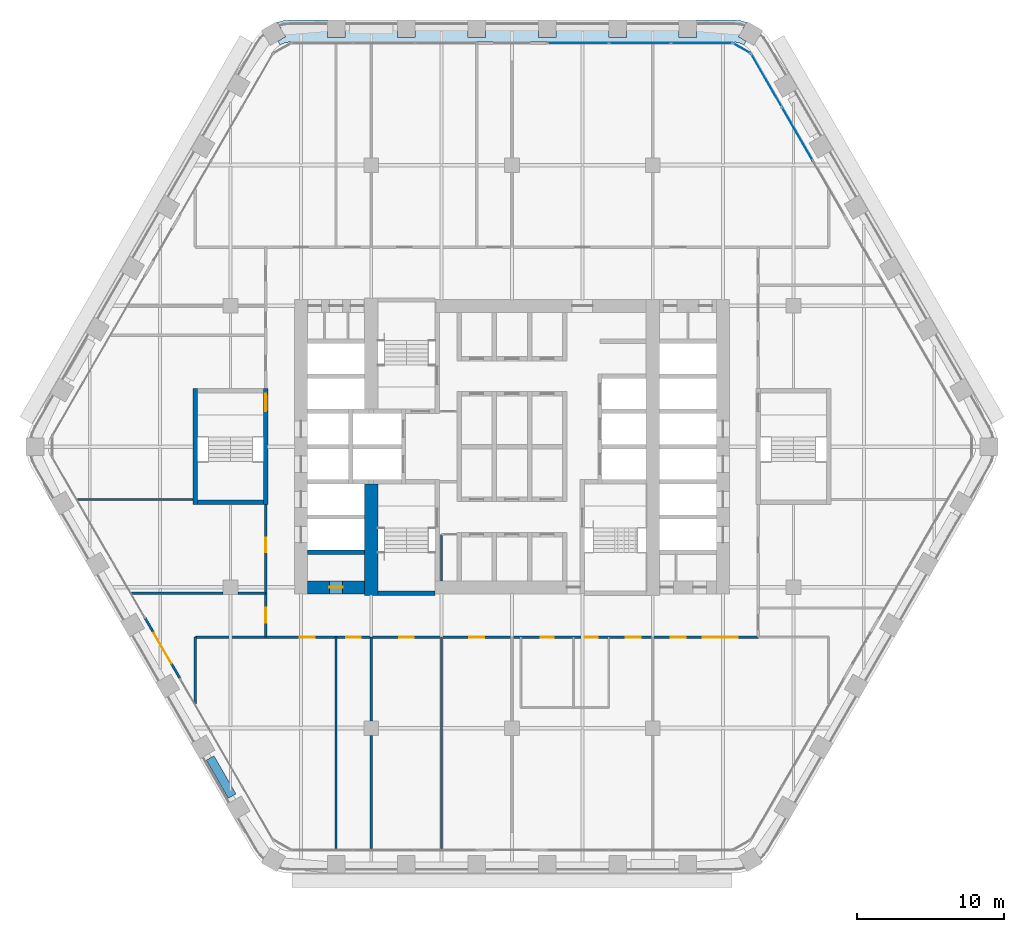
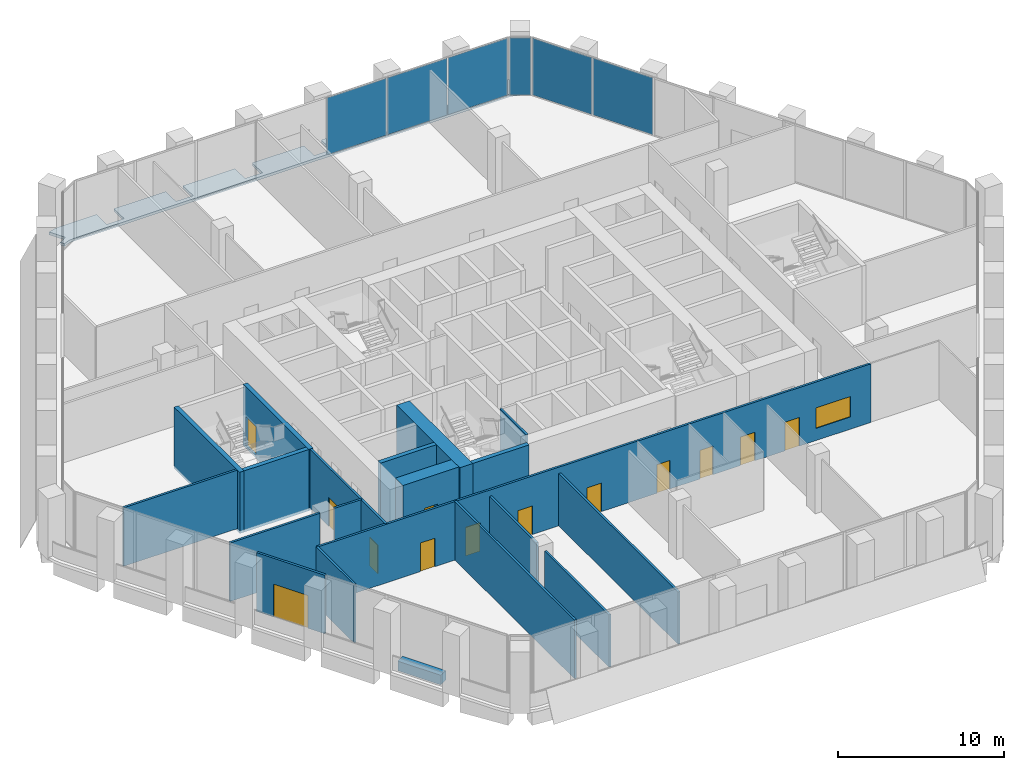
# One storey, part 12 of 22: 20 walls, 13 doors, 6 plates, 1 slab, 1 window, 14 openings, 3 elements without a shape of their own.
"""IFC4 building model written with IfcOpenShell, lengths in metres."""

from ifc_helpers import new_model, si_unit, direction, frame, frame_2d, origin, origin_2d, place, context, subcontext, project, spatial, polyline, rectangle, outline, extrude, material, layer, layer_set, type_object, element, fill, aggregate, save


model = new_model("IFC4")

# Units and contexts
model_context = context("Model", 3, precision=1e-05, world=origin(), true_north=direction((0.0, 1.0)))
body_context = subcontext(model_context, "Body", "Model", "MODEL_VIEW")
ifc_project = project(units=[si_unit("LENGTHUNIT", "METRE"), si_unit("AREAUNIT", "SQUARE_METRE"), si_unit("VOLUMEUNIT", "CUBIC_METRE"), si_unit("PLANEANGLEUNIT", "RADIAN"), si_unit("MASSUNIT", "GRAM", prefix="KILO")], contexts=[model_context])

# Site, building, storey
site_placement = place(None, origin())
site = spatial("IfcSite", under=ifc_project, at=site_placement, CompositionType="ELEMENT")
building_placement = place(site_placement, origin())
building = spatial("IfcBuilding", under=site, at=building_placement, Name="Kolab Exchange Tower", CompositionType="ELEMENT")
storey_placement = place(building_placement, frame((0.0, 0.0, 82.39990234375)))
storey = spatial("IfcBuildingStorey", under=building, at=storey_placement, Name="L15", CompositionType="ELEMENT", Elevation=82.39990234375)

# Slab
ifc_material_1 = material(Name="Concrete C35/45", Category="concrete")
ifc_layer_1 = layer(ifc_material_1, 0.199951171875)
ifc_layer_set_1 = layer_set([ifc_layer_1], Name="Concrete C35/45")
slab_type = type_object("IfcSlabType", Name="LOGGIA SLAB 200", PredefinedType="FLOOR", material=ifc_layer_set_1)
slab_placement = place(storey_placement, frame((0.0, 0.0, -0.199951171875)))
element("IfcSlab", 1, at=slab_placement, inside=storey, type_object=slab_type, Name="slab/L15/loggia/0-0", PredefinedType="FLOOR", context=body_context, shape_type="SweptSolid", body=[
    extrude(outline(polyline([(15.81787109375, 27.3974609375), (15.968017578125, 27.6572265625), (15.4482421875, 27.957275390625), (16.014892578125, 28.938720703125), (15.5888671875, 29.052978515625), (15.06787109375, 29.098388671875), (12.60009765625, 29.098388671875), (12.60009765625, 27.8984375), (11.39990234375, 27.8984375), (11.39990234375, 29.098388671875), (7.800048828125, 29.098388671875), (7.800048828125, 27.8984375), (6.60009765625, 27.8984375), (6.60009765625, 29.098388671875), (3.0, 29.098388671875), (3.0, 27.8984375), (1.800048828125, 27.8984375), (1.800048828125, 29.098388671875), (-1.800048828125, 29.098388671875), (-1.800048828125, 27.8984375), (-3.0, 27.8984375), (-3.0, 29.098388671875), (-6.60009765625, 29.098388671875), (-6.60009765625, 27.8984375), (-7.800048828125, 27.8984375), (-7.800048828125, 29.098388671875), (-11.39990234375, 29.098388671875), (-11.39990234375, 27.8984375), (-12.60009765625, 27.8984375), (-12.60009765625, 29.098388671875), (-15.06787109375, 29.098388671875), (-15.5888671875, 29.052978515625), (-16.014892578125, 28.938720703125), (-15.4482421875, 27.957275390625), (-15.968017578125, 27.6572265625), (-15.81787109375, 27.3974609375), (-15.5810546875, 27.508056640625), (-15.328369140625, 27.57568359375), (-15.06787109375, 27.598388671875), (15.06787109375, 27.598388671875), (15.328369140625, 27.57568359375), (15.5810546875, 27.508056640625), (15.81787109375, 27.3974609375)])), origin(), (0.0, 0.0, 1.0), 0.199951171875),
])

# Curtain wall, plates
ifc_material_2 = material(Name="Aluminium EN AW-6063 T6", Category="aluminium")
curtain_wall_type = type_object("IfcCurtainWallType", Name="UNITISED LOWER MID ZONE CURTAIN WALL", PredefinedType="NOTDEFINED", material=ifc_material_2)
curtain_wall_1_placement = place(storey_placement, origin())
curtain_wall_1 = element("IfcCurtainWall", 2, at=curtain_wall_1_placement, inside=storey, type_object=curtain_wall_type, Name="cw/L15/F1-2", PredefinedType="NOTDEFINED")
ifc_material_3 = material(Name="Clear insulated glazing unit", Category="glass")
ifc_layer_2 = layer(ifc_material_3, 0.02587890625)
ifc_layer_set_2 = layer_set([ifc_layer_2], Name="Clear insulated glazing unit")
plate_type = type_object("IfcPlateType", Name="UNITISED LOWER MID ZONE GLASS PANEL 26", PredefinedType="CURTAIN_PANEL", material=ifc_layer_set_2)
plate_1_placement = place(storey_placement, frame((4.5263671875, 27.5185546875, 0.06005859375), z_axis=(0.0, 0.0, 1.0), x_axis=(1.0, 0.0, 0.0)))
plate_1 = element("IfcPlate", 3, at=plate_1_placement, type_object=plate_type, Name="CW2 panel 1.1", PredefinedType="CURTAIN_PANEL", context=body_context, shape_type="SweptSolid", body=[
    extrude(rectangle(XDim=4.132568359375, YDim=0.02587890625, at=origin_2d()), origin(), (0.0, 0.0, 1.0), 4.179931640625),
])
plate_2_placement = place(storey_placement, frame((8.73388671875, 27.5185546875, 0.06005859375), z_axis=(0.0, 0.0, 1.0), x_axis=(1.0, 0.0, 0.0)))
plate_2 = element("IfcPlate", 4, at=plate_2_placement, type_object=plate_type, Name="CW2 panel 2.1", PredefinedType="CURTAIN_PANEL", context=body_context, shape_type="SweptSolid", body=[
    extrude(rectangle(XDim=4.16259765625, YDim=0.02587890625, at=origin_2d()), origin(), (0.0, 0.0, 1.0), 4.179931640625),
])
plate_3_placement = place(storey_placement, frame((12.941650390625, 27.5185546875, 0.06005859375), z_axis=(0.0, 0.0, 1.0), x_axis=(1.0, 0.0, 0.0)))
plate_3 = element("IfcPlate", 5, at=plate_3_placement, type_object=plate_type, Name="CW2 panel 3.1", PredefinedType="CURTAIN_PANEL", context=body_context, shape_type="SweptSolid", body=[
    extrude(rectangle(XDim=4.132568359375, YDim=0.02587890625, at=origin_2d()), origin(), (0.0, 0.0, 1.0), 4.179931640625),
])
aggregate(curtain_wall_1, [plate_1, plate_2, plate_3])

curtain_wall_2_placement = place(storey_placement, origin())
curtain_wall_2 = element("IfcCurtainWall", 6, at=curtain_wall_2_placement, inside=storey, type_object=curtain_wall_type, Name="cw/L15/F2-1", PredefinedType="NOTDEFINED")
plate_4_placement = place(storey_placement, frame((17.36083984375, 24.967041015625, 0.06005859375), z_axis=(0.0, 0.0, 1.0), x_axis=(0.500000017564, -0.866025393644, 0.0)))
plate_4 = element("IfcPlate", 7, at=plate_4_placement, type_object=plate_type, Name="CW2 panel 1.1", PredefinedType="CURTAIN_PANEL", context=body_context, shape_type="SweptSolid", body=[
    extrude(rectangle(XDim=4.132568359375, YDim=0.02587890625, at=origin_2d()), origin(), (0.0, 0.0, 1.0), 4.179931640625),
])
plate_5_placement = place(storey_placement, frame((19.464599609375, 21.322998046875, 0.06005859375), z_axis=(0.0, 0.0, 1.0), x_axis=(0.500000017564, -0.866025393644, 0.0)))
plate_5 = element("IfcPlate", 8, at=plate_5_placement, type_object=plate_type, Name="CW2 panel 2.1", PredefinedType="CURTAIN_PANEL", context=body_context, shape_type="SweptSolid", body=[
    extrude(rectangle(XDim=4.16259765625, YDim=0.02587890625, at=origin_2d()), origin(), (0.0, 0.0, 1.0), 4.179931640625),
])
aggregate(curtain_wall_2, [plate_4, plate_5])

# Curtain wall, plate
curtain_wall_3_placement = place(storey_placement, origin())
curtain_wall_3 = element("IfcCurtainWall", 9, at=curtain_wall_3_placement, inside=storey, type_object=curtain_wall_type, Name="cw/L15/F1F2-corner", PredefinedType="NOTDEFINED")
plate_6_placement = place(storey_placement, frame((15.682861328125, 27.16357421875, 0.06005859375), z_axis=(0.0, 0.0, 1.0), x_axis=(0.866025390869, -0.50000002237, 0.0)))
plate_6 = element("IfcPlate", 10, at=plate_6_placement, type_object=plate_type, Name="CW2 panel 1.1", PredefinedType="CURTAIN_PANEL", context=body_context, shape_type="SweptSolid", body=[
    extrude(rectangle(XDim=1.300048828125, YDim=0.02587890625, at=origin_2d()), origin(), (0.0, 0.0, 1.0), 4.179931640625),
])
aggregate(curtain_wall_3, [plate_6])

# Wall, opening, door
ifc_material_4 = material(Name="Concrete C70/85", Category="concrete")
ifc_layer_3 = layer(ifc_material_4, 0.89990234375)
ifc_layer_set_3 = layer_set([ifc_layer_3], Name="Concrete C70/85")
wall_type_1 = type_object("IfcWallType", Name="CORE WALL 900 C70/85", PredefinedType="SHEAR", material=ifc_layer_set_3)
wall_1_placement = place(storey_placement, frame((-13.949951171875, -9.60009765625, -0.199951171875), z_axis=(0.0, 0.0, 1.0), x_axis=(1.0, 0.0, 0.0)))
wall_1 = element("IfcWall", 11, at=wall_1_placement, inside=storey, type_object=wall_type_1, Name="wall/L15/core/002", PredefinedType="SHEAR", context=body_context, shape_type="SweptSolid", body=[
    extrude(rectangle(XDim=3.89990234375, YDim=0.89990234375, at=frame_2d((1.949951171875, 0.0))), origin(), (0.0, 0.0, 1.0), 4.5),
])
opening_1_placement = place(wall_1_placement, frame((1.5, 0.0, 0.199951171875)))
opening_1 = element("IfcOpeningElement", 12, at=opening_1_placement, cuts=wall_1, Name="Opening D6-221", PredefinedType="OPENING", context=body_context, shape_type="SweptSolid", body=[
    extrude(rectangle(XDim=0.89990234375, YDim=2.10009765625, at=frame_2d((0.449951171875, 1.050048828125))), frame((0.0, 0.4599609375, 0.0), z_axis=(0.0, -1.0, 0.0), x_axis=(1.0, 0.0, 0.0)), (0.0, 0.0, 1.0), 0.919921875),
])
ifc_material_5 = material(Name="Steel S235", Category="steel")
door_type_1 = type_object("IfcDoorType", Name="CORE DOOR 900 EI 120", OperationType="SINGLE_SWING_LEFT", PredefinedType="DOOR", material=ifc_material_5)
door_1_placement = place(opening_1_placement, origin())
door_1 = element("IfcDoor", 13, at=door_1_placement, inside=storey, type_object=door_type_1, Name="Service room door", OperationType="SINGLE_SWING_LEFT", OverallHeight=2.10009765625, OverallWidth=0.89990234375, PredefinedType="DOOR", context=body_context, shape_type="SweptSolid", body=[
    extrude(rectangle(XDim=0.89990234375, YDim=2.10009765625, at=frame_2d((0.449951171875, 1.050048828125))), frame((0.0, 0.02490234375, 0.0), z_axis=(0.0, -1.0, 0.0), x_axis=(1.0, 0.0, 0.0)), (0.0, 0.0, 1.0), 0.050048828125),
])
fill(opening_1, door_1)

# Wall
wall_2_placement = place(storey_placement, frame((-9.60009765625, -10.14990234375, -0.199951171875), z_axis=(0.0, 0.0, 1.0), x_axis=(0.0, 1.0, 0.0)))
element("IfcWall", 14, at=wall_2_placement, inside=storey, type_object=wall_type_1, Name="wall/L15/core/059", PredefinedType="SHEAR", context=body_context, shape_type="SweptSolid", body=[
    extrude(rectangle(XDim=7.599853515625, YDim=0.89990234375, at=frame_2d((3.7998046875, 0.0))), origin(), (0.0, 0.0, 1.0), 4.5),
])

# Wall, opening, door
ifc_layer_4 = layer(ifc_material_2, 0.159912109375)
ifc_layer_set_4 = layer_set([ifc_layer_4], Name="Aluminium EN AW-6063 T6")
wall_type_2 = type_object("IfcWallType", Name="DOOR SURROUND WALL 160 ALUMINIUM FRAMED", PredefinedType="PARTITIONING", material=ifc_layer_set_4)
wall_3_placement = place(storey_placement, frame((-22.646728515625, -15.811767578125, 0.0), z_axis=(0.0, 0.0, 1.0), x_axis=(-0.499978080042, 0.866038058908, 0.0)))
wall_3 = element("IfcWall", 15, at=wall_3_placement, inside=storey, type_object=wall_type_2, Name="Door surround wall", PredefinedType="PARTITIONING", context=body_context, shape_type="SweptSolid", body=[
    extrude(rectangle(XDim=4.739990234375, YDim=0.159912109375, at=frame_2d((2.3701171875, 0.0))), origin(), (0.0, 0.0, 1.0), 4.300048828125),
])
opening_2_placement = place(wall_3_placement, frame((1.169921875, 0.0, 0.0)))
opening_2 = element("IfcOpeningElement", 16, at=opening_2_placement, cuts=wall_3, Name="Opening GD1-038", PredefinedType="OPENING", context=body_context, shape_type="SweptSolid", body=[
    extrude(rectangle(XDim=2.39990234375, YDim=2.39990234375, at=frame_2d((1.199951171875, 1.199951171875))), frame((0.0, 0.08984375, 0.0), z_axis=(0.0, -1.0, 0.0), x_axis=(1.0, 0.0, 0.0)), (0.0, 0.0, 1.0), 0.179931640625),
])
door_type_2 = type_object("IfcDoorType", Name="LOGGIA SLIDING GLASS DOOR 2400 X 2400", OperationType="DOUBLE_DOOR_SINGLE_SWING", PredefinedType="DOOR", material=ifc_material_2)
door_2_placement = place(opening_2_placement, origin())
door_2 = element("IfcDoor", 17, at=door_2_placement, inside=storey, type_object=door_type_2, Name="Loggia door", OperationType="DOUBLE_DOOR_SLIDING", OverallHeight=2.39990234375, OverallWidth=2.39990234375, PredefinedType="DOOR", context=body_context, shape_type="SweptSolid", body=[
    extrude(rectangle(XDim=2.39990234375, YDim=2.39990234375, at=frame_2d((1.199951171875, 1.199951171875))), frame((0.0, 0.02490234375, 0.0), z_axis=(0.0, -1.0, 0.0), x_axis=(1.0, 0.0, 0.0)), (0.0, 0.0, 1.0), 0.050048828125),
])
fill(opening_2, door_2)

# Walls
ifc_material_6 = material(Name="Concrete C50/60", Category="concrete")
ifc_layer_5 = layer(ifc_material_6, 0.300048828125)
ifc_layer_set_5 = layer_set([ifc_layer_5], Name="Concrete C50/60")
wall_type_3 = type_object("IfcWallType", Name="LIFT SHAFT WALL 300 C50/60", PredefinedType="STANDARD", material=ifc_layer_set_5)
wall_4_placement = place(storey_placement, frame((-13.949951171875, -7.199951171875, -0.199951171875), z_axis=(0.0, 0.0, 1.0), x_axis=(1.0, 0.0, 0.0)))
element("IfcWall", 18, at=wall_4_placement, inside=storey, type_object=wall_type_3, Name="wall/L15/core/005", PredefinedType="STANDARD", context=body_context, shape_type="SweptSolid", body=[
    extrude(rectangle(XDim=3.89990234375, YDim=0.300048828125, at=frame_2d((1.949951171875, 0.0))), origin(), (0.0, 0.0, 1.0), 4.5),
])
ifc_material_7 = material(Name="Gypsum board", Category="gypsum")
ifc_layer_6 = layer(ifc_material_7, 0.14990234375)
ifc_layer_set_6 = layer_set([ifc_layer_6], Name="Gypsum board")
wall_type_4 = type_object("IfcWallType", Name="PARTITION 150 FIRE-RATED", PredefinedType="PARTITIONING", material=ifc_layer_set_6)
wall_5_placement = place(storey_placement, frame((-4.800048828125, -27.428466796875, 0.0), z_axis=(0.0, 0.0, 1.0), x_axis=(0.0, 1.0, 0.0)))
element("IfcWall", 19, at=wall_5_placement, inside=storey, type_object=wall_type_4, Name="Partition 018", PredefinedType="PARTITIONING", context=body_context, shape_type="SweptSolid", body=[
    extrude(rectangle(XDim=14.428466796875, YDim=0.14990234375, at=frame_2d((7.21435546875, 0.0))), origin(), (0.0, 0.0, 1.0), 3.843017578125),
])
wall_6_placement = place(storey_placement, frame((-4.800048828125, -9.14990234375, 0.0), z_axis=(0.0, 0.0, 1.0), x_axis=(0.0, 1.0, 0.0)))
element("IfcWall", 20, at=wall_6_placement, inside=storey, type_object=wall_type_4, Name="Partition 019", PredefinedType="PARTITIONING", context=body_context, shape_type="SweptSolid", body=[
    extrude(rectangle(XDim=3.14990234375, YDim=0.14990234375, at=frame_2d((1.574951171875, 0.0))), origin(), (0.0, 0.0, 1.0), 4.300048828125),
])
wall_7_placement = place(storey_placement, frame((-9.60009765625, -27.428466796875, 0.0), z_axis=(0.0, 0.0, 1.0), x_axis=(0.0, 1.0, 0.0)))
element("IfcWall", 21, at=wall_7_placement, inside=storey, type_object=wall_type_4, Name="Partition 022", PredefinedType="PARTITIONING", context=body_context, shape_type="SweptSolid", body=[
    extrude(rectangle(XDim=7.728515625, YDim=0.14990234375, at=frame_2d((3.8642578125, 0.0))), origin(), (0.0, 0.0, 1.0), 3.843017578125),
])
wall_8_placement = place(storey_placement, frame((-9.60009765625, -18.699951171875, 0.0), z_axis=(0.0, 0.0, 1.0), x_axis=(0.0, 1.0, 0.0)))
element("IfcWall", 22, at=wall_8_placement, inside=storey, type_object=wall_type_4, Name="Partition 023", PredefinedType="PARTITIONING", context=body_context, shape_type="SweptSolid", body=[
    extrude(rectangle(XDim=5.699951171875, YDim=0.14990234375, at=frame_2d((2.85009765625, 0.0))), origin(), (0.0, 0.0, 1.0), 3.843017578125),
])
wall_9_placement = place(storey_placement, frame((-12.0, -27.428466796875, 0.0), z_axis=(0.0, 0.0, 1.0), x_axis=(0.0, 1.0, 0.0)))
element("IfcWall", 23, at=wall_9_placement, inside=storey, type_object=wall_type_4, Name="Partition 025", PredefinedType="PARTITIONING", context=body_context, shape_type="SweptSolid", body=[
    extrude(rectangle(XDim=14.428466796875, YDim=0.14990234375, at=frame_2d((7.21435546875, 0.0))), origin(), (0.0, 0.0, 1.0), 4.300048828125),
])

# Wall, openings, doors
wall_10_placement = place(storey_placement, frame((-16.800048828125, -13.0, 0.0), z_axis=(0.0, 0.0, 1.0), x_axis=(0.0, 1.0, 0.0)))
wall_10 = element("IfcWall", 24, at=wall_10_placement, inside=storey, type_object=wall_type_4, Name="Partition 028", PredefinedType="PARTITIONING", context=body_context, shape_type="SweptSolid", body=[
    extrude(rectangle(XDim=9.050048828125, YDim=0.14990234375, at=frame_2d((4.52490234375, 0.0))), origin(), (0.0, 0.0, 1.0), 4.300048828125),
])
opening_3_placement = place(wall_10_placement, frame((1.0, 0.0, 0.0)))
opening_3 = element("IfcOpeningElement", 25, at=opening_3_placement, cuts=wall_10, Name="Opening D1-216", PredefinedType="OPENING", context=body_context, shape_type="SweptSolid", body=[
    extrude(rectangle(XDim=1.0, YDim=2.10009765625, at=frame_2d((0.5, 1.050048828125))), frame((0.0, 0.0849609375, 0.0), z_axis=(0.0, -1.0, 0.0), x_axis=(1.0, 0.0, 0.0)), (0.0, 0.0, 1.0), 0.169921875),
])
opening_4_placement = place(wall_10_placement, frame((5.800048828125, 0.0, 0.0)))
opening_4 = element("IfcOpeningElement", 26, at=opening_4_placement, cuts=wall_10, Name="Opening D1-217", PredefinedType="OPENING", context=body_context, shape_type="SweptSolid", body=[
    extrude(rectangle(XDim=1.0, YDim=2.10009765625, at=frame_2d((0.5, 1.050048828125))), frame((0.0, 0.0849609375, 0.0), z_axis=(0.0, -1.0, 0.0), x_axis=(1.0, 0.0, 0.0)), (0.0, 0.0, 1.0), 0.169921875),
])
door_type_3 = type_object("IfcDoorType", Name="FLUSH DOOR 1000 FD60", OperationType="SINGLE_SWING_LEFT", PredefinedType="DOOR", material=ifc_material_5)
door_3_placement = place(opening_3_placement, origin())
door_3 = element("IfcDoor", 27, at=door_3_placement, inside=storey, type_object=door_type_3, Name="Door L15-064", OperationType="SINGLE_SWING_LEFT", OverallHeight=2.10009765625, OverallWidth=1.0, PredefinedType="DOOR", context=body_context, shape_type="SweptSolid", body=[
    extrude(rectangle(XDim=1.0, YDim=2.10009765625, at=frame_2d((0.5, 1.050048828125))), frame((0.0, 0.02490234375, 0.0), z_axis=(0.0, -1.0, 0.0), x_axis=(1.0, 0.0, 0.0)), (0.0, 0.0, 1.0), 0.050048828125),
])
fill(opening_3, door_3)
door_4_placement = place(opening_4_placement, origin())
door_4 = element("IfcDoor", 28, at=door_4_placement, inside=storey, type_object=door_type_3, Name="Door L15-065", OperationType="SINGLE_SWING_RIGHT", OverallHeight=2.10009765625, OverallWidth=1.0, PredefinedType="DOOR", context=body_context, shape_type="SweptSolid", body=[
    extrude(rectangle(XDim=1.0, YDim=2.10009765625, at=frame_2d((0.5, 1.050048828125))), frame((0.0, 0.02490234375, 0.0), z_axis=(0.0, -1.0, 0.0), x_axis=(1.0, 0.0, 0.0)), (0.0, 0.0, 1.0), 0.050048828125),
])
fill(opening_4, door_4)

# Wall
wall_11_placement = place(storey_placement, frame((-21.60009765625, -17.544677734375, 0.0), z_axis=(0.0, 0.0, 1.0), x_axis=(0.0, 1.0, 0.0)))
element("IfcWall", 29, at=wall_11_placement, inside=storey, type_object=wall_type_4, Name="Partition 030", PredefinedType="PARTITIONING", context=body_context, shape_type="SweptSolid", body=[
    extrude(rectangle(XDim=4.544677734375, YDim=0.14990234375, at=frame_2d((2.2724609375, 0.0))), origin(), (0.0, 0.0, 1.0), 4.300048828125),
])

# Wall, openings, doors, window
wall_12_placement = place(storey_placement, frame((-21.60009765625, -13.0, 0.0), z_axis=(0.0, 0.0, 1.0), x_axis=(1.0, 0.0, 0.0)))
wall_12 = element("IfcWall", 30, at=wall_12_placement, inside=storey, type_object=wall_type_4, Name="Partition 034", PredefinedType="PARTITIONING", context=body_context, shape_type="SweptSolid", body=[
    extrude(rectangle(XDim=38.400146484375, YDim=0.14990234375, at=frame_2d((19.2001953125, 0.0))), origin(), (0.0, 0.0, 1.0), 4.300048828125),
])
opening_5_placement = place(wall_12_placement, frame((7.135009765625, 0.0, 0.0)))
opening_5 = element("IfcOpeningElement", 31, at=opening_5_placement, cuts=wall_12, Name="Opening D1-224", PredefinedType="OPENING", context=body_context, shape_type="SweptSolid", body=[
    extrude(rectangle(XDim=1.0, YDim=2.10009765625, at=frame_2d((0.5, 1.050048828125))), frame((0.0, 0.0849609375, 0.0), z_axis=(0.0, -1.0, 0.0), x_axis=(1.0, 0.0, 0.0)), (0.0, 0.0, 1.0), 0.169921875),
])
opening_6_placement = place(wall_12_placement, frame((10.300048828125, 0.0, 0.0)))
opening_6 = element("IfcOpeningElement", 32, at=opening_6_placement, cuts=wall_12, Name="Opening D1-207", PredefinedType="OPENING", context=body_context, shape_type="SweptSolid", body=[
    extrude(rectangle(XDim=1.0, YDim=2.10009765625, at=frame_2d((0.5, 1.050048828125))), frame((0.0, 0.0849609375, 0.0), z_axis=(0.0, -1.0, 0.0), x_axis=(1.0, 0.0, 0.0)), (0.0, 0.0, 1.0), 0.169921875),
])
opening_7_placement = place(wall_12_placement, frame((13.89990234375, 0.0, 0.0)))
opening_7 = element("IfcOpeningElement", 33, at=opening_7_placement, cuts=wall_12, Name="Opening D1-208", PredefinedType="OPENING", context=body_context, shape_type="SweptSolid", body=[
    extrude(rectangle(XDim=1.0, YDim=2.10009765625, at=frame_2d((0.5, 1.050048828125))), frame((0.0, 0.0849609375, 0.0), z_axis=(0.0, -1.0, 0.0), x_axis=(1.0, 0.0, 0.0)), (0.0, 0.0, 1.0), 0.169921875),
])
opening_8_placement = place(wall_12_placement, frame((18.699951171875, 0.0, 0.0)))
opening_8 = element("IfcOpeningElement", 34, at=opening_8_placement, cuts=wall_12, Name="Opening D1-209", PredefinedType="OPENING", context=body_context, shape_type="SweptSolid", body=[
    extrude(rectangle(XDim=1.0, YDim=2.10009765625, at=frame_2d((0.5, 1.050048828125))), frame((0.0, 0.0849609375, 0.0), z_axis=(0.0, -1.0, 0.0), x_axis=(1.0, 0.0, 0.0)), (0.0, 0.0, 1.0), 0.169921875),
])
opening_9_placement = place(wall_12_placement, frame((29.364990234375, 0.0, 0.0)))
opening_9 = element("IfcOpeningElement", 35, at=opening_9_placement, cuts=wall_12, Name="Opening D1-225", PredefinedType="OPENING", context=body_context, shape_type="SweptSolid", body=[
    extrude(rectangle(XDim=1.0, YDim=2.10009765625, at=frame_2d((0.5, 1.050048828125))), frame((0.0, 0.0849609375, 0.0), z_axis=(0.0, -1.0, 0.0), x_axis=(1.0, 0.0, 0.0)), (0.0, 0.0, 1.0), 0.169921875),
])
opening_10_placement = place(wall_12_placement, frame((32.445068359375, 0.0, 0.0)))
opening_10 = element("IfcOpeningElement", 36, at=opening_10_placement, cuts=wall_12, Name="Opening D1-226", PredefinedType="OPENING", context=body_context, shape_type="SweptSolid", body=[
    extrude(rectangle(XDim=1.0, YDim=2.10009765625, at=frame_2d((0.5, 1.050048828125))), frame((0.0, 0.0849609375, 0.0), z_axis=(0.0, -1.0, 0.0), x_axis=(1.0, 0.0, 0.0)), (0.0, 0.0, 1.0), 0.169921875),
])
opening_11_placement = place(wall_12_placement, frame((23.550048828125, 0.0, 0.0)))
opening_11 = element("IfcOpeningElement", 37, at=opening_11_placement, cuts=wall_12, Name="Opening D3-019", PredefinedType="OPENING", context=body_context, shape_type="SweptSolid", body=[
    extrude(rectangle(XDim=0.89990234375, YDim=2.10009765625, at=frame_2d((0.449951171875, 1.050048828125))), frame((0.0, 0.0849609375, 0.0), z_axis=(0.0, -1.0, 0.0), x_axis=(1.0, 0.0, 0.0)), (0.0, 0.0, 1.0), 0.169921875),
])
opening_12_placement = place(wall_12_placement, frame((26.550048828125, 0.0, 0.0)))
opening_12 = element("IfcOpeningElement", 38, at=opening_12_placement, cuts=wall_12, Name="Opening D3-020", PredefinedType="OPENING", context=body_context, shape_type="SweptSolid", body=[
    extrude(rectangle(XDim=0.89990234375, YDim=2.10009765625, at=frame_2d((0.449951171875, 1.050048828125))), frame((0.0, 0.0849609375, 0.0), z_axis=(0.0, -1.0, 0.0), x_axis=(1.0, 0.0, 0.0)), (0.0, 0.0, 1.0), 0.169921875),
])
opening_13_placement = place(wall_12_placement, frame((34.60009765625, 0.0, 0.89990234375)))
opening_13 = element("IfcOpeningElement", 39, at=opening_13_placement, cuts=wall_12, Name="Opening W2-002", PredefinedType="OPENING", context=body_context, shape_type="SweptSolid", body=[
    extrude(rectangle(XDim=2.39990234375, YDim=1.5, at=frame_2d((1.199951171875, 0.75))), frame((0.0, 0.0849609375, 0.0), z_axis=(0.0, -1.0, 0.0), x_axis=(1.0, 0.0, 0.0)), (0.0, 0.0, 1.0), 0.169921875),
])
door_5_placement = place(opening_5_placement, frame((1.0, 0.0, 0.0), z_axis=(0.0, 0.0, 1.0), x_axis=(-1.0, 0.0, 0.0)))
door_5 = element("IfcDoor", 40, at=door_5_placement, inside=storey, type_object=door_type_3, Name="Door L15-054", OperationType="SINGLE_SWING_RIGHT", OverallHeight=2.10009765625, OverallWidth=1.0, PredefinedType="DOOR", context=body_context, shape_type="SweptSolid", body=[
    extrude(rectangle(XDim=1.0, YDim=2.10009765625, at=frame_2d((0.5, 1.050048828125))), frame((0.0, 0.02490234375, 0.0), z_axis=(0.0, -1.0, 0.0), x_axis=(1.0, 0.0, 0.0)), (0.0, 0.0, 1.0), 0.050048828125),
])
fill(opening_5, door_5)
door_6_placement = place(opening_6_placement, frame((1.0, 0.0, 0.0), z_axis=(0.0, 0.0, 1.0), x_axis=(-1.0, 0.0, 0.0)))
door_6 = element("IfcDoor", 41, at=door_6_placement, inside=storey, type_object=door_type_3, Name="Door L15-055", OperationType="SINGLE_SWING_LEFT", OverallHeight=2.10009765625, OverallWidth=1.0, PredefinedType="DOOR", context=body_context, shape_type="SweptSolid", body=[
    extrude(rectangle(XDim=1.0, YDim=2.10009765625, at=frame_2d((0.5, 1.050048828125))), frame((0.0, 0.02490234375, 0.0), z_axis=(0.0, -1.0, 0.0), x_axis=(1.0, 0.0, 0.0)), (0.0, 0.0, 1.0), 0.050048828125),
])
fill(opening_6, door_6)
door_7_placement = place(opening_7_placement, frame((1.0, 0.0, 0.0), z_axis=(0.0, 0.0, 1.0), x_axis=(-1.0, 0.0, 0.0)))
door_7 = element("IfcDoor", 42, at=door_7_placement, inside=storey, type_object=door_type_3, Name="Door L15-056", OperationType="SINGLE_SWING_LEFT", OverallHeight=2.10009765625, OverallWidth=1.0, PredefinedType="DOOR", context=body_context, shape_type="SweptSolid", body=[
    extrude(rectangle(XDim=1.0, YDim=2.10009765625, at=frame_2d((0.5, 1.050048828125))), frame((0.0, 0.02490234375, 0.0), z_axis=(0.0, -1.0, 0.0), x_axis=(1.0, 0.0, 0.0)), (0.0, 0.0, 1.0), 0.050048828125),
])
fill(opening_7, door_7)
door_8_placement = place(opening_8_placement, frame((1.0, 0.0, 0.0), z_axis=(0.0, 0.0, 1.0), x_axis=(-1.0, 0.0, 0.0)))
door_8 = element("IfcDoor", 43, at=door_8_placement, inside=storey, type_object=door_type_3, Name="Door L15-057", OperationType="SINGLE_SWING_LEFT", OverallHeight=2.10009765625, OverallWidth=1.0, PredefinedType="DOOR", context=body_context, shape_type="SweptSolid", body=[
    extrude(rectangle(XDim=1.0, YDim=2.10009765625, at=frame_2d((0.5, 1.050048828125))), frame((0.0, 0.02490234375, 0.0), z_axis=(0.0, -1.0, 0.0), x_axis=(1.0, 0.0, 0.0)), (0.0, 0.0, 1.0), 0.050048828125),
])
fill(opening_8, door_8)
door_9_placement = place(opening_9_placement, frame((1.0, 0.0, 0.0), z_axis=(0.0, 0.0, 1.0), x_axis=(-1.0, 0.0, 0.0)))
door_9 = element("IfcDoor", 44, at=door_9_placement, inside=storey, type_object=door_type_3, Name="Door L15-058", OperationType="SINGLE_SWING_RIGHT", OverallHeight=2.10009765625, OverallWidth=1.0, PredefinedType="DOOR", context=body_context, shape_type="SweptSolid", body=[
    extrude(rectangle(XDim=1.0, YDim=2.10009765625, at=frame_2d((0.5, 1.050048828125))), frame((0.0, 0.02490234375, 0.0), z_axis=(0.0, -1.0, 0.0), x_axis=(1.0, 0.0, 0.0)), (0.0, 0.0, 1.0), 0.050048828125),
])
fill(opening_9, door_9)
door_10_placement = place(opening_10_placement, frame((1.0, 0.0, 0.0), z_axis=(0.0, 0.0, 1.0), x_axis=(-1.0, 0.0, 0.0)))
door_10 = element("IfcDoor", 45, at=door_10_placement, inside=storey, type_object=door_type_3, Name="Door L15-059", OperationType="SINGLE_SWING_LEFT", OverallHeight=2.10009765625, OverallWidth=1.0, PredefinedType="DOOR", context=body_context, shape_type="SweptSolid", body=[
    extrude(rectangle(XDim=1.0, YDim=2.10009765625, at=frame_2d((0.5, 1.050048828125))), frame((0.0, 0.02490234375, 0.0), z_axis=(0.0, -1.0, 0.0), x_axis=(1.0, 0.0, 0.0)), (0.0, 0.0, 1.0), 0.050048828125),
])
fill(opening_10, door_10)
door_type_4 = type_object("IfcDoorType", Name="FLUSH DOOR 900 FD60", OperationType="SINGLE_SWING_LEFT", PredefinedType="DOOR", material=ifc_material_5)
door_11_placement = place(opening_11_placement, frame((0.89990234375, 0.0, 0.0), z_axis=(0.0, 0.0, 1.0), x_axis=(-1.0, 0.0, 0.0)))
door_11 = element("IfcDoor", 46, at=door_11_placement, inside=storey, type_object=door_type_4, Name="Door L15-069", OperationType="SINGLE_SWING_LEFT", OverallHeight=2.10009765625, OverallWidth=0.89990234375, PredefinedType="DOOR", context=body_context, shape_type="SweptSolid", body=[
    extrude(rectangle(XDim=0.89990234375, YDim=2.10009765625, at=frame_2d((0.449951171875, 1.050048828125))), frame((0.0, 0.02490234375, 0.0), z_axis=(0.0, -1.0, 0.0), x_axis=(1.0, 0.0, 0.0)), (0.0, 0.0, 1.0), 0.050048828125),
])
fill(opening_11, door_11)
door_12_placement = place(opening_12_placement, frame((0.89990234375, 0.0, 0.0), z_axis=(0.0, 0.0, 1.0), x_axis=(-1.0, 0.0, 0.0)))
door_12 = element("IfcDoor", 47, at=door_12_placement, inside=storey, type_object=door_type_4, Name="Door L15-070", OperationType="SINGLE_SWING_LEFT", OverallHeight=2.10009765625, OverallWidth=0.89990234375, PredefinedType="DOOR", context=body_context, shape_type="SweptSolid", body=[
    extrude(rectangle(XDim=0.89990234375, YDim=2.10009765625, at=frame_2d((0.449951171875, 1.050048828125))), frame((0.0, 0.02490234375, 0.0), z_axis=(0.0, -1.0, 0.0), x_axis=(1.0, 0.0, 0.0)), (0.0, 0.0, 1.0), 0.050048828125),
])
fill(opening_12, door_12)
ifc_material_8 = material(Name="Fire-rated glazing", Category="glass")
window_type = type_object("IfcWindowType", Name="VIEWING WINDOW 2400 X 1500 EI 60", PartitioningType="SINGLE_PANEL", PredefinedType="WINDOW", material=ifc_material_8)
window_placement = place(opening_13_placement, origin())
window = element("IfcWindow", 48, at=window_placement, inside=storey, type_object=window_type, Name="Viewing window L15-2", OverallHeight=1.5, OverallWidth=2.39990234375, PartitioningType="SINGLE_PANEL", PredefinedType="WINDOW", context=body_context, shape_type="SweptSolid", body=[
    extrude(rectangle(XDim=2.39990234375, YDim=1.5, at=frame_2d((1.199951171875, 0.75))), frame((0.0, 0.030029296875, 0.0), z_axis=(0.0, -1.0, 0.0), x_axis=(1.0, 0.0, 0.0)), (0.0, 0.0, 1.0), 0.06005859375),
])
fill(opening_13, window)

# Walls
wall_13_placement = place(storey_placement, frame((-25.955810546875, -10.0, 0.0), z_axis=(0.0, 0.0, 1.0), x_axis=(1.0, 0.0, 0.0)))
element("IfcWall", 49, at=wall_13_placement, inside=storey, type_object=wall_type_4, Name="Partition 036", PredefinedType="PARTITIONING", context=body_context, shape_type="SweptSolid", body=[
    extrude(rectangle(XDim=6.255859375, YDim=0.14990234375, at=frame_2d((3.1279296875, 0.0))), origin(), (0.0, 0.0, 1.0), 4.300048828125),
])
wall_14_placement = place(storey_placement, frame((-18.699951171875, -10.0, 0.0), z_axis=(0.0, 0.0, 1.0), x_axis=(1.0, 0.0, 0.0)))
element("IfcWall", 50, at=wall_14_placement, inside=storey, type_object=wall_type_4, Name="Partition 037", PredefinedType="PARTITIONING", context=body_context, shape_type="SweptSolid", body=[
    extrude(rectangle(XDim=1.89990234375, YDim=0.14990234375, at=frame_2d((0.949951171875, 0.0))), origin(), (0.0, 0.0, 1.0), 4.300048828125),
])
wall_15_placement = place(storey_placement, frame((-29.65087890625, -3.60009765625, 0.0), z_axis=(0.0, 0.0, 1.0), x_axis=(1.0, 0.0, 0.0)))
element("IfcWall", 51, at=wall_15_placement, inside=storey, type_object=wall_type_4, Name="Partition 039", PredefinedType="PARTITIONING", context=body_context, shape_type="SweptSolid", body=[
    extrude(rectangle(XDim=7.90087890625, YDim=0.14990234375, at=frame_2d((3.950439453125, 0.0))), origin(), (0.0, 0.0, 1.0), 4.300048828125),
])
ifc_material_9 = material(Name="Granite facing", Category="masonry")
ifc_layer_7 = layer(ifc_material_9, 0.0400390625)
ifc_material_10 = material(Name="Concrete C40/50 precast", Category="concrete")
ifc_layer_8 = layer(ifc_material_10, 0.56005859375)
ifc_layer_set_7 = layer_set([ifc_layer_7, ifc_layer_8], Name="Concrete C40/50 precast")
wall_type_5 = type_object("IfcWallType", Name="PLANTER BOX 600 X 700 SOIL DEPTH 550", PredefinedType="USERDEFINED", material=ifc_layer_set_7)
wall_16_placement = place(storey_placement, frame((-19.087158203125, -23.837158203125, 0.0), z_axis=(0.0, 0.0, 1.0), x_axis=(-0.499990139034, 0.866031096941, 0.0)))
element("IfcWall", 52, at=wall_16_placement, inside=storey, type_object=wall_type_5, Name="Planter", ObjectType="PLANTER", PredefinedType="USERDEFINED", context=body_context, shape_type="SweptSolid", body=[
    extrude(rectangle(XDim=3.0, YDim=0.60009765625, at=frame_2d((1.5, 0.0))), origin(), (0.0, 0.0, 1.0), 0.7001953125),
])
ifc_layer_9 = layer(ifc_material_6, 0.300048828125)
ifc_layer_set_8 = layer_set([ifc_layer_9], Name="Concrete C50/60")
wall_type_6 = type_object("IfcWallType", Name="STAIR ENCLOSURE WALL 300 C50/60", PredefinedType="STANDARD", material=ifc_layer_set_8)
wall_17_placement = place(storey_placement, frame((-9.14990234375, -10.0, -0.199951171875), z_axis=(0.0, 0.0, 1.0), x_axis=(1.0, 0.0, 0.0)))
element("IfcWall", 53, at=wall_17_placement, inside=storey, type_object=wall_type_6, Name="wall/L15/core/000", PredefinedType="STANDARD", context=body_context, shape_type="SweptSolid", body=[
    extrude(rectangle(XDim=3.89990234375, YDim=0.300048828125, at=frame_2d((1.949951171875, 0.0))), origin(), (0.0, 0.0, 1.0), 4.5),
])
wall_18_placement = place(storey_placement, frame((-21.449951171875, -3.800048828125, -0.199951171875), z_axis=(0.0, 0.0, 1.0), x_axis=(1.0, 0.0, 0.0)))
element("IfcWall", 54, at=wall_18_placement, inside=storey, type_object=wall_type_6, Name="wall/L15/core/012", PredefinedType="STANDARD", context=body_context, shape_type="SweptSolid", body=[
    extrude(rectangle(XDim=4.5, YDim=0.300048828125, at=frame_2d((2.25, 0.0))), origin(), (0.0, 0.0, 1.0), 4.5),
])
wall_19_placement = place(storey_placement, frame((-21.60009765625, -3.949951171875, -0.199951171875), z_axis=(0.0, 0.0, 1.0), x_axis=(0.0, 1.0, 0.0)))
element("IfcWall", 55, at=wall_19_placement, inside=storey, type_object=wall_type_6, Name="wall/L15/core/055", PredefinedType="STANDARD", context=body_context, shape_type="SweptSolid", body=[
    extrude(rectangle(XDim=7.89990234375, YDim=0.300048828125, at=frame_2d((3.949951171875, 0.0))), origin(), (0.0, 0.0, 1.0), 4.5),
])

# Wall, opening, door
wall_20_placement = place(storey_placement, frame((-16.800048828125, -3.949951171875, -0.199951171875), z_axis=(0.0, 0.0, 1.0), x_axis=(0.0, 1.0, 0.0)))
wall_20 = element("IfcWall", 56, at=wall_20_placement, inside=storey, type_object=wall_type_6, Name="wall/L15/core/056", PredefinedType="STANDARD", context=body_context, shape_type="SweptSolid", body=[
    extrude(rectangle(XDim=7.89990234375, YDim=0.300048828125, at=frame_2d((3.949951171875, 0.0))), origin(), (0.0, 0.0, 1.0), 4.5),
])
opening_14_placement = place(wall_20_placement, frame((6.35009765625, 0.0, 0.199951171875)))
opening_14 = element("IfcOpeningElement", 57, at=opening_14_placement, cuts=wall_20, Name="Opening D4-048", PredefinedType="OPENING", context=body_context, shape_type="SweptSolid", body=[
    extrude(rectangle(XDim=1.199951171875, YDim=2.10009765625, at=frame_2d((0.60009765625, 1.050048828125))), frame((0.0, 0.16015625, 0.0), z_axis=(0.0, -1.0, 0.0), x_axis=(1.0, 0.0, 0.0)), (0.0, 0.0, 1.0), 0.320068359375),
])
door_type_5 = type_object("IfcDoorType", Name="STAIR DOOR 1200 EI 120", OperationType="SINGLE_SWING_LEFT", PredefinedType="DOOR", material=ifc_material_5)
door_13_placement = place(opening_14_placement, origin())
door_13 = element("IfcDoor", 58, at=door_13_placement, inside=storey, type_object=door_type_5, Name="Stair 5 door", OperationType="SINGLE_SWING_RIGHT", OverallHeight=2.10009765625, OverallWidth=1.199951171875, PredefinedType="DOOR", context=body_context, shape_type="SweptSolid", body=[
    extrude(rectangle(XDim=1.199951171875, YDim=2.10009765625, at=frame_2d((0.60009765625, 1.050048828125))), frame((0.0, 0.02490234375, 0.0), z_axis=(0.0, -1.0, 0.0), x_axis=(1.0, 0.0, 0.0)), (0.0, 0.0, 1.0), 0.050048828125),
])
fill(opening_14, door_13)

save(model, "model.ifc")
